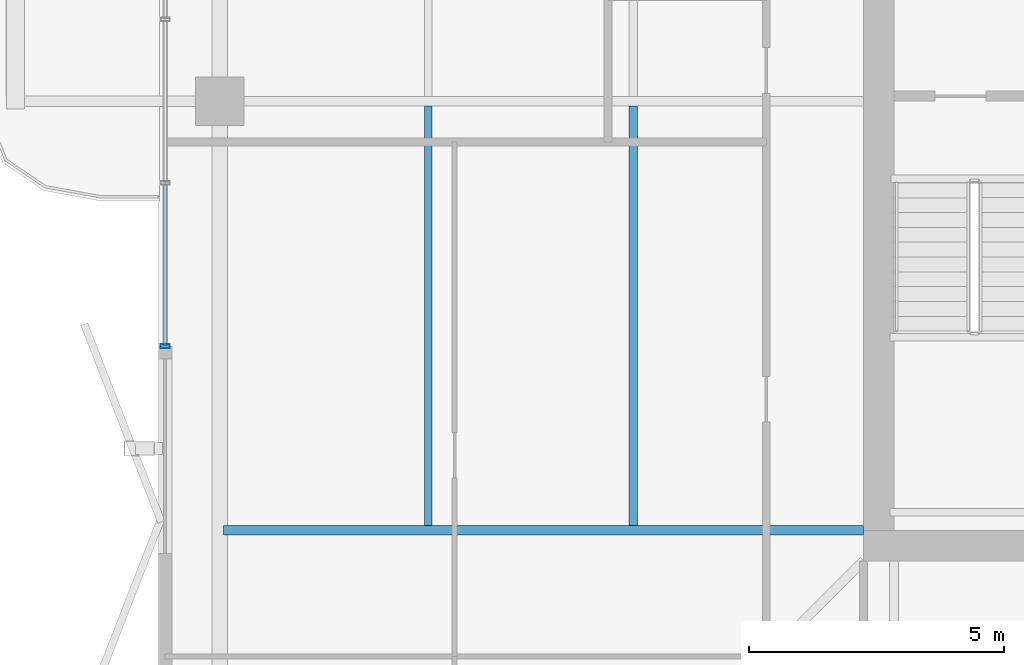
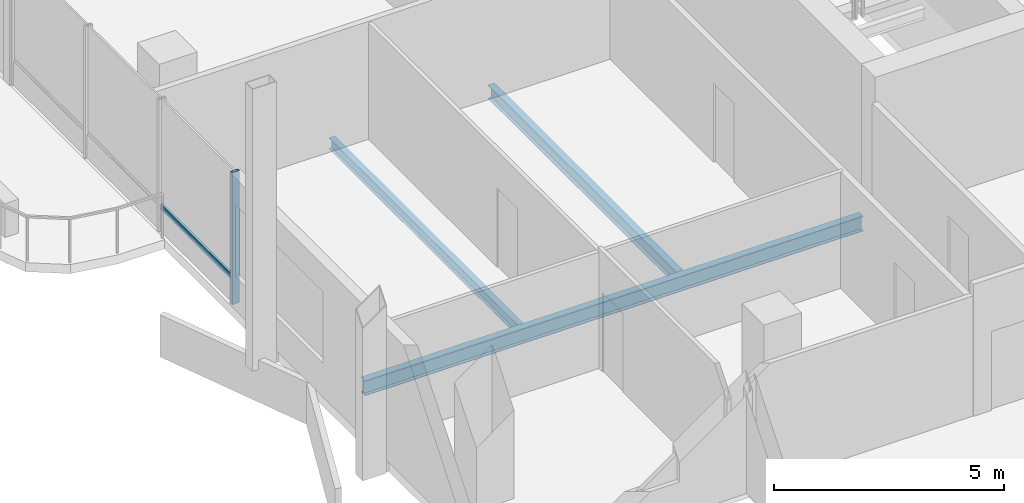
# One storey, part 6 of 20: 3 beams, 2 members, 1 element without a shape of its own.
"""IFC4 building model written with IfcOpenShell, lengths in metres."""

from ifc_helpers import new_model, si_unit, direction, frame, origin, origin_2d, place, context, subcontext, project, spatial, hollow_rectangle, i_section, extrude, material, layer, layer_set, material_profile, profile_set, type_object, element, aggregate, save


model = new_model("IFC4")

# Units and contexts
model_context = context("Model", 3, precision=1e-05, world=origin(), true_north=direction((0.0, 1.0)))
body_context = subcontext(model_context, "Body", "Model", "MODEL_VIEW")
ifc_project = project(units=[si_unit("LENGTHUNIT", "METRE"), si_unit("AREAUNIT", "SQUARE_METRE"), si_unit("VOLUMEUNIT", "CUBIC_METRE"), si_unit("PLANEANGLEUNIT", "RADIAN"), si_unit("MASSUNIT", "GRAM", prefix="KILO")], contexts=[model_context])

# Site, building, storey
site_placement = place(None, origin())
site = spatial("IfcSite", under=ifc_project, at=site_placement, CompositionType="ELEMENT")
building_placement = place(site_placement, origin())
building = spatial("IfcBuilding", under=site, at=building_placement, Name="Belovzor Exchange Tower", CompositionType="ELEMENT")
storey_placement = place(building_placement, frame((0.0, 0.0, 314.25)))
storey = spatial("IfcBuildingStorey", under=building, at=storey_placement, Name="L78", CompositionType="ELEMENT", Elevation=314.25)

# Beams
ifc_material_1 = material(Name="Steel S355", Category="steel")
ifc_material_profile_1 = material_profile(ifc_material_1, i_section(OverallWidth=0.169921875, OverallDepth=0.360107421875, WebThickness=0.008056640625, FlangeThickness=0.0126953125, at=origin_2d()))
ifc_profile_set_1 = profile_set([ifc_material_profile_1], Name="Steel S355")
beam_type_1 = type_object("IfcBeamType", Name="Secondary Infill Floor Joist IPE 360", PredefinedType="BEAM", material=ifc_profile_set_1)
beam_1_placement = place(storey_placement, frame((15.291015625, 20.489990234375, -0.419921875), z_axis=(0.0, 1.0, 0.0), x_axis=(-1.0, 0.0, 0.0)))
element("IfcBeam", 1, at=beam_1_placement, inside=storey, type_object=beam_type_1, Name="FJ-360 Secondary Infill Floor Joist IPE 360", PredefinedType="BEAM", context=body_context, shape_type="SweptSolid", body=[
    extrude(i_section(OverallWidth=0.169921875, OverallDepth=0.360107421875, WebThickness=0.008056640625, FlangeThickness=0.0126953125, at=origin_2d()), origin(), (0.0, 0.0, 1.0), 8.219970703125),
])
ifc_material_2 = material(Name="Steel S355", Category="steel")
ifc_material_profile_2 = material_profile(ifc_material_2, i_section(OverallWidth=0.14990234375, OverallDepth=0.300048828125, WebThickness=0.007080078125, FlangeThickness=0.0107421875, at=origin_2d()))
ifc_profile_set_2 = profile_set([ifc_material_profile_2], Name="Steel S355")
beam_type_2 = type_object("IfcBeamType", Name="Secondary Trim Floor Joist IPE 300", PredefinedType="BEAM", material=ifc_profile_set_2)
beam_2_placement = place(storey_placement, frame((11.282958984375, 20.489990234375, -0.389892578125), z_axis=(0.0, 1.0, 0.0), x_axis=(-1.0, 0.0, 0.0)))
element("IfcBeam", 2, at=beam_2_placement, inside=storey, type_object=beam_type_2, Name="FJ-300 Secondary Trim Floor Joist IPE 300", PredefinedType="BEAM", context=body_context, shape_type="SweptSolid", body=[
    extrude(i_section(OverallWidth=0.14990234375, OverallDepth=0.300048828125, WebThickness=0.007080078125, FlangeThickness=0.0107421875, at=origin_2d()), origin(), (0.0, 0.0, 1.0), 8.219970703125),
])

# Curtain wall, members
ifc_material_3 = material(Name="Anodised Aluminium Framing", Category="aluminium")
ifc_layer = layer(ifc_material_3, 0.179931640625)
ifc_layer_set = layer_set([ifc_layer], Name="Anodised Aluminium Framing")
curtain_wall_type = type_object("IfcCurtainWallType", Name="Recessed Loggia Low-Iron Triple-Glazed Curtain Wall", PredefinedType="NOTDEFINED", material=ifc_layer_set)
curtain_wall_placement = place(storey_placement, origin())
curtain_wall = element("IfcCurtainWall", 3, at=curtain_wall_placement, inside=storey, type_object=curtain_wall_type, Name="CW3 Recessed Loggia Low-Iron Triple-Glazed Curtain Wall L78", PredefinedType="NOTDEFINED")
ifc_material_4 = material(Name="Steel S355", Category="steel")
ifc_material_profile_3 = material_profile(ifc_material_4, hollow_rectangle(XDim=0.074951171875, YDim=0.179931640625, WallThickness=0.0048828125, at=origin_2d()))
ifc_profile_set_3 = profile_set([ifc_material_profile_3], Name="Steel S355")
member_type_1 = type_object("IfcMemberType", Name="Thermally Broken Curtain Wall Mullion 180x75", PredefinedType="MULLION", material=ifc_profile_set_3)
member_1_placement = place(storey_placement, frame((6.1298828125, 24.0, 0.0), z_axis=(0.0, 0.0, 1.0), x_axis=(0.0, 1.0, 0.0)))
member_1 = element("IfcMember", 4, at=member_1_placement, type_object=member_type_1, Name="CW-M180 Curtain Wall Mullion 1", PredefinedType="MULLION", context=body_context, shape_type="SweptSolid", body=[
    extrude(hollow_rectangle(XDim=0.074951171875, YDim=0.179931640625, WallThickness=0.0048828125, at=origin_2d()), origin(), (0.0, 0.0, 1.0), 3.510009765625),
])
ifc_material_5 = material(Name="Steel S355", Category="steel")
ifc_material_profile_4 = material_profile(ifc_material_5, hollow_rectangle(XDim=0.06005859375, YDim=0.14990234375, WallThickness=0.00390625, at=origin_2d()))
ifc_profile_set_4 = profile_set([ifc_material_profile_4], Name="Steel S355")
member_type_2 = type_object("IfcMemberType", Name="Thermally Broken Curtain Wall Transom 150x60", PredefinedType="USERDEFINED", material=ifc_profile_set_4)
member_2_placement = place(storey_placement, frame((6.1298828125, 24.008056640625, 0.632080078125), z_axis=(0.0, 1.0, 0.0), x_axis=(-1.0, 0.0, 0.0)))
member_2 = element("IfcMember", 5, at=member_2_placement, type_object=member_type_2, Name="CW-T150 Curtain Wall Transom 1", ObjectType="TRANSOM", PredefinedType="USERDEFINED", context=body_context, shape_type="SweptSolid", body=[
    extrude(hollow_rectangle(XDim=0.06005859375, YDim=0.14990234375, WallThickness=0.00390625, at=origin_2d()), origin(), (0.0, 0.0, 1.0), 3.183837890625),
])
aggregate(curtain_wall, [member_1, member_2])

# Beam
ifc_material_6 = material(Name="Steel S355", Category="steel")
ifc_material_profile_5 = material_profile(ifc_material_6, i_section(OverallWidth=0.179931640625, OverallDepth=0.39990234375, WebThickness=0.008544921875, FlangeThickness=0.013427734375, at=origin_2d()))
ifc_profile_set_5 = profile_set([ifc_material_profile_5], Name="Steel S355")
beam_type_3 = type_object("IfcBeamType", Name="Zone 5-6 Radial Composite Floor Beam IPE 400", PredefinedType="BEAM", material=ifc_profile_set_5)
beam_3_placement = place(storey_placement, frame((19.800048828125, 20.39990234375, -0.43994140625), z_axis=(-1.0, 0.0, 0.0), x_axis=(0.0, -1.0, 0.0)))
element("IfcBeam", 6, at=beam_3_placement, inside=storey, type_object=beam_type_3, Name="FB-400 Zone 5-6 Radial Composite Floor Beam IPE 400", PredefinedType="BEAM", context=body_context, shape_type="SweptSolid", body=[
    extrude(i_section(OverallWidth=0.179931640625, OverallDepth=0.39990234375, WebThickness=0.008544921875, FlangeThickness=0.013427734375, at=origin_2d()), origin(), (0.0, 0.0, 1.0), 12.525146484375),
])

save(model, "model.ifc")
